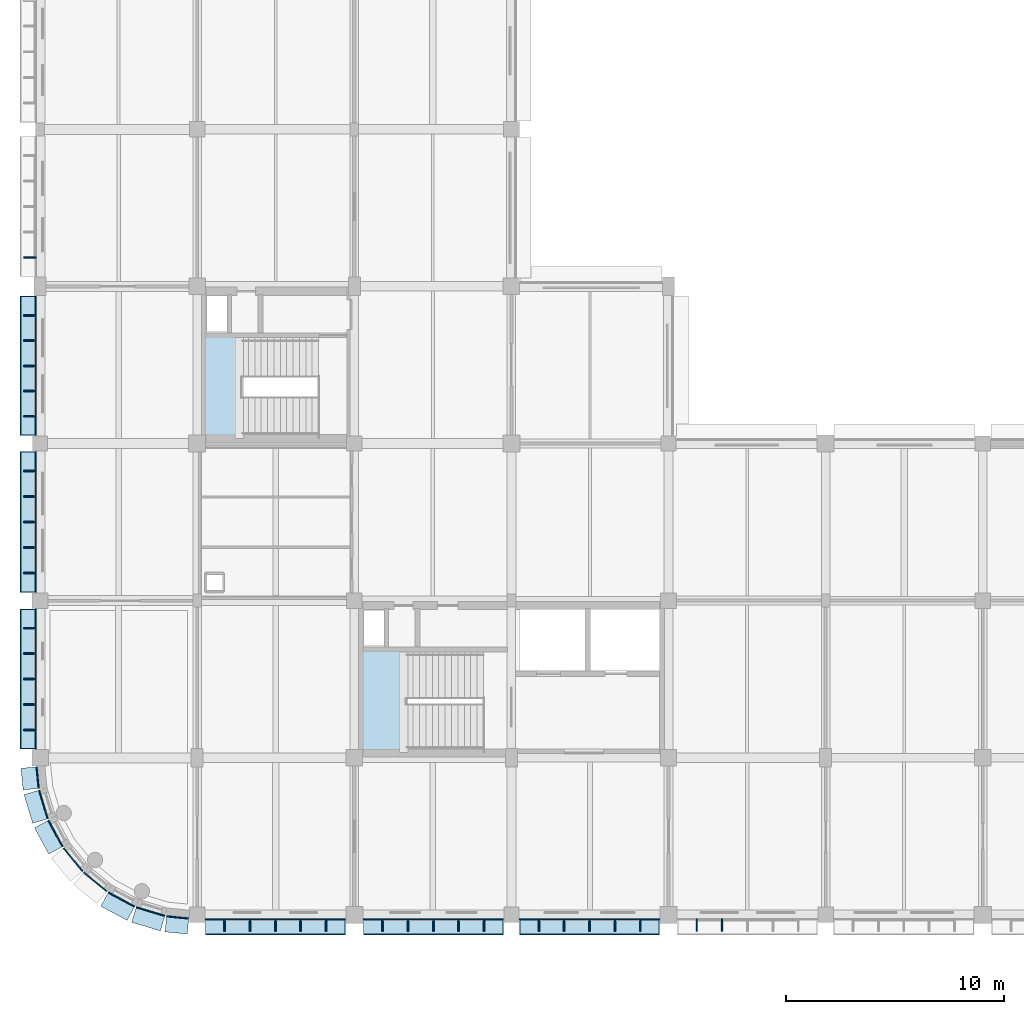
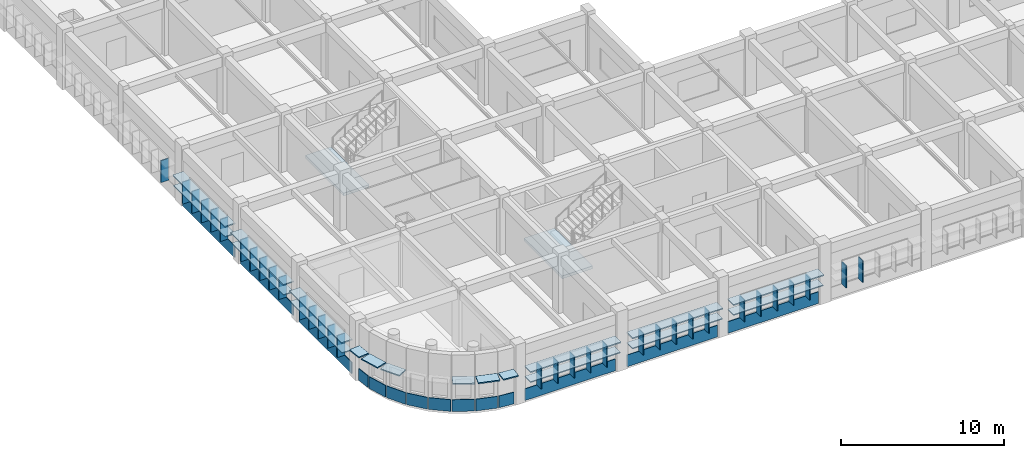
# One storey, part 15 of 61: 65 plates, 2 slabs, 2 elements without a shape of their own.
"""IFC4 building model written with IfcOpenShell, lengths in metres."""

from ifc_helpers import new_model, si_unit, direction, frame, origin, origin_2d, place, context, subcontext, project, spatial, polyline, rectangle, outline, extrude, material, layer, layer_set, type_object, element, aggregate, save


model = new_model("IFC4")

# Units and contexts
model_context = context("Model", 3, precision=1e-05, world=origin(), true_north=direction((0.0, 1.0)))
body_context = subcontext(model_context, "Body", "Model", "MODEL_VIEW")
ifc_project = project(units=[si_unit("LENGTHUNIT", "METRE"), si_unit("AREAUNIT", "SQUARE_METRE"), si_unit("VOLUMEUNIT", "CUBIC_METRE"), si_unit("PLANEANGLEUNIT", "RADIAN"), si_unit("MASSUNIT", "GRAM", prefix="KILO")], contexts=[model_context])

# Site, building, storey
site_placement = place(None, origin())
site = spatial("IfcSite", under=ifc_project, at=site_placement, CompositionType="ELEMENT")
building_placement = place(site_placement, origin())
building = spatial("IfcBuilding", under=site, at=building_placement, Name="Thalmaran Polytechnic", CompositionType="ELEMENT")
storey_placement = place(building_placement, frame((0.0, 0.0, 9.89990234375)))
storey = spatial("IfcBuildingStorey", under=building, at=storey_placement, Name="L02", CompositionType="ELEMENT", Elevation=9.89990234375)

# Plates
ifc_material_1 = material(Name="Anodised aluminium spandrel band", Category="aluminium")
ifc_layer_1 = layer(ifc_material_1, 0.054931640625, Name="Anodised aluminium spandrel band")
ifc_layer_set_1 = layer_set([ifc_layer_1], Name="Anodised aluminium spandrel band")
plate_type_1 = type_object("IfcPlateType", Name="PT-BD01", PredefinedType="SHEET", material=ifc_layer_set_1)
plate_1_placement = place(storey_placement, frame((-0.1064453125, 6.2919921875, 0.020263671875), z_axis=(0.0, 0.0, 1.0), x_axis=(-0.09801714033, 0.995184726672, 0.0)))
element("IfcPlate", 1, at=plate_1_placement, inside=storey, type_object=plate_type_1, Name="Streamline Horizontal Spandrel Band L02-001", PredefinedType="SHEET", context=body_context, shape_type="SweptSolid", body=[
    extrude(rectangle(XDim=0.996337890625, YDim=0.054931640625, at=origin_2d()), origin(), (0.0, 0.0, 1.0), 0.8798828125),
])
plate_2_placement = place(storey_placement, frame((-0.195068359375, 10.8076171875, 0.020263671875), z_axis=(0.0, 0.0, 1.0), x_axis=(0.0, 1.0, 0.0)))
element("IfcPlate", 2, at=plate_2_placement, inside=storey, type_object=plate_type_1, Name="Streamline Horizontal Spandrel Band L02-002", PredefinedType="SHEET", context=body_context, shape_type="SweptSolid", body=[
    extrude(rectangle(XDim=6.425048828125, YDim=0.054931640625, at=origin_2d()), origin(), (0.0, 0.0, 1.0), 0.8798828125),
])
plate_3_placement = place(storey_placement, frame((-0.195068359375, 18.0048828125, 0.020263671875), z_axis=(0.0, 0.0, 1.0), x_axis=(0.0, 1.0, 0.0)))
element("IfcPlate", 3, at=plate_3_placement, inside=storey, type_object=plate_type_1, Name="Streamline Horizontal Spandrel Band L02-003", PredefinedType="SHEET", context=body_context, shape_type="SweptSolid", body=[
    extrude(rectangle(XDim=6.449951171875, YDim=0.054931640625, at=origin_2d()), origin(), (0.0, 0.0, 1.0), 0.8798828125),
])
plate_4_placement = place(storey_placement, frame((-0.195068359375, 25.16259765625, 0.020263671875), z_axis=(0.0, 0.0, 1.0), x_axis=(0.0, 1.0, 0.0)))
element("IfcPlate", 4, at=plate_4_placement, inside=storey, type_object=plate_type_1, Name="Streamline Horizontal Spandrel Band L02-004", PredefinedType="SHEET", context=body_context, shape_type="SweptSolid", body=[
    extrude(rectangle(XDim=6.385009765625, YDim=0.054931640625, at=origin_2d()), origin(), (0.0, 0.0, 1.0), 0.8798828125),
])
for number, where, z_axis, x_axis, name in (
    (5, (25.179931640625, -0.195068359375, 0.020263671875), (0.0, 0.0, 1.0), (-1.0, 0.0, 0.0), "Streamline Horizontal Spandrel Band L02-089"),
    (6, (18.02001953125, -0.195068359375, 0.020263671875), (0.0, 0.0, 1.0), (-1.0, 0.0, 0.0), "Streamline Horizontal Spandrel Band L02-090"),
    (7, (10.780029296875, -0.195068359375, 0.020263671875), (0.0, 0.0, 1.0), (-1.0, 0.0, 0.0), "Streamline Horizontal Spandrel Band L02-091"),
):
    element("IfcPlate", number, at=place(storey_placement, frame(where, z_axis=z_axis, x_axis=x_axis)), inside=storey, type_object=plate_type_1, Name=name, PredefinedType="SHEET", context=body_context, shape_type="SweptSolid", body=[
        extrude(rectangle(XDim=6.419921875, YDim=0.054931640625, at=origin_2d()), origin(), (0.0, 0.0, 1.0), 0.8798828125),
    ])
plate_5_placement = place(storey_placement, frame((6.304443359375, -0.107666015625, 0.020263671875), z_axis=(0.0, 0.0, 1.0), x_axis=(-0.995184726672, 0.09801714033, 0.0)))
element("IfcPlate", 8, at=plate_5_placement, inside=storey, type_object=plate_type_1, Name="Streamline Horizontal Spandrel Band L02-092", PredefinedType="SHEET", context=body_context, shape_type="SweptSolid", body=[
    extrude(rectangle(XDim=1.021484375, YDim=0.054931640625, at=origin_2d()), origin(), (0.0, 0.0, 1.0), 0.8798828125),
])
for number, where, z_axis, x_axis, name in (
    (9, (5.0634765625, 0.156494140625, 0.020263671875), (0.0, 0.0, 1.0), (-0.956940335732, 0.290284677254, 0.0), "Streamline Horizontal Spandrel Band L02-093"),
    (10, (3.73046875, 0.708740234375, 0.020263671875), (0.0, 0.0, 1.0), (-0.881921264348, 0.471396736826, 0.0), "Streamline Horizontal Spandrel Band L02-094"),
    (11, (2.53076171875, 1.510498046875, 0.020263671875), (0.0, 0.0, 1.0), (-0.773010453363, 0.634393284164, 0.0), "Streamline Horizontal Spandrel Band L02-095"),
    (12, (1.510498046875, 2.53076171875, 0.020263671875), (0.0, 0.0, 1.0), (-0.634393284164, 0.773010453363, 0.0), "Streamline Horizontal Spandrel Band L02-096"),
    (13, (0.708740234375, 3.73046875, 0.020263671875), (0.0, 0.0, 1.0), (-0.471396736826, 0.881921264348, 0.0), "Streamline Horizontal Spandrel Band L02-097"),
    (14, (0.156494140625, 5.0634765625, 0.020263671875), (0.0, 0.0, 1.0), (-0.290284677254, 0.956940335732, 0.0), "Streamline Horizontal Spandrel Band L02-098"),
):
    element("IfcPlate", number, at=place(storey_placement, frame(where, z_axis=z_axis, x_axis=x_axis)), inside=storey, type_object=plate_type_1, Name=name, PredefinedType="SHEET", context=body_context, shape_type="SweptSolid", body=[
        extrude(rectangle(XDim=1.371337890625, YDim=0.054931640625, at=origin_2d()), origin(), (0.0, 0.0, 1.0), 0.8798828125),
    ])
ifc_material_2 = material(Name="Anodised aluminium sun-hood eyebrow", Category="aluminium")
ifc_layer_2 = layer(ifc_material_2, 0.0849609375, Name="Anodised aluminium sun-hood eyebrow")
ifc_layer_set_2 = layer_set([ifc_layer_2], Name="Anodised aluminium sun-hood eyebrow")
plate_type_2 = type_object("IfcPlateType", Name="PT-EB01", PredefinedType="SHEET", material=ifc_layer_set_2)
plate_6_placement = place(storey_placement, frame((-0.449951171875, 6.258056640625, 2.517578125), z_axis=(0.0, 0.0, 1.0), x_axis=(-0.09801714033, 0.995184726672, 0.0)))
element("IfcPlate", 15, at=plate_6_placement, inside=storey, type_object=plate_type_2, Name="Streamline Sun-Hood Eyebrow L02-001", PredefinedType="SHEET", context=body_context, shape_type="SweptSolid", body=[
    extrude(rectangle(XDim=0.996337890625, YDim=0.760009765625, at=origin_2d()), origin(), (0.0, 0.0, 1.0), 0.0849609375),
])
plate_7_placement = place(storey_placement, frame((-0.5400390625, 10.8076171875, 2.517578125), z_axis=(0.0, 0.0, 1.0), x_axis=(0.0, 1.0, 0.0)))
element("IfcPlate", 16, at=plate_7_placement, inside=storey, type_object=plate_type_2, Name="Streamline Sun-Hood Eyebrow L02-002", PredefinedType="SHEET", context=body_context, shape_type="SweptSolid", body=[
    extrude(rectangle(XDim=6.425048828125, YDim=0.760009765625, at=origin_2d()), origin(), (0.0, 0.0, 1.0), 0.0849609375),
])
plate_8_placement = place(storey_placement, frame((-0.52001953125, 10.8076171875, 1.74267578125), z_axis=(0.0, 0.0, 1.0), x_axis=(0.0, 1.0, 0.0)))
element("IfcPlate", 17, at=plate_8_placement, inside=storey, type_object=plate_type_2, Name="Abu Dhabi Horizontal Solar Louvre L02-002", PredefinedType="SHEET", context=body_context, shape_type="SweptSolid", body=[
    extrude(rectangle(XDim=6.385009765625, YDim=0.719970703125, at=origin_2d()), origin(), (0.0, 0.0, 1.0), 0.074951171875),
])
plate_9_placement = place(storey_placement, frame((-0.5400390625, 18.0048828125, 2.517578125), z_axis=(0.0, 0.0, 1.0), x_axis=(0.0, 1.0, 0.0)))
element("IfcPlate", 18, at=plate_9_placement, inside=storey, type_object=plate_type_2, Name="Streamline Sun-Hood Eyebrow L02-003", PredefinedType="SHEET", context=body_context, shape_type="SweptSolid", body=[
    extrude(rectangle(XDim=6.449951171875, YDim=0.760009765625, at=origin_2d()), origin(), (0.0, 0.0, 1.0), 0.0849609375),
])
plate_10_placement = place(storey_placement, frame((-0.52001953125, 18.0048828125, 1.74267578125), z_axis=(0.0, 0.0, 1.0), x_axis=(0.0, 1.0, 0.0)))
element("IfcPlate", 19, at=plate_10_placement, inside=storey, type_object=plate_type_2, Name="Abu Dhabi Horizontal Solar Louvre L02-003", PredefinedType="SHEET", context=body_context, shape_type="SweptSolid", body=[
    extrude(rectangle(XDim=6.409912109375, YDim=0.719970703125, at=origin_2d()), origin(), (0.0, 0.0, 1.0), 0.074951171875),
])
plate_11_placement = place(storey_placement, frame((-0.5400390625, 25.16259765625, 2.517578125), z_axis=(0.0, 0.0, 1.0), x_axis=(0.0, 1.0, 0.0)))
element("IfcPlate", 20, at=plate_11_placement, inside=storey, type_object=plate_type_2, Name="Streamline Sun-Hood Eyebrow L02-004", PredefinedType="SHEET", context=body_context, shape_type="SweptSolid", body=[
    extrude(rectangle(XDim=6.385009765625, YDim=0.760009765625, at=origin_2d()), origin(), (0.0, 0.0, 1.0), 0.0849609375),
])
plate_12_placement = place(storey_placement, frame((-0.52001953125, 25.16259765625, 1.74267578125), z_axis=(0.0, 0.0, 1.0), x_axis=(0.0, 1.0, 0.0)))
element("IfcPlate", 21, at=plate_12_placement, inside=storey, type_object=plate_type_2, Name="Abu Dhabi Horizontal Solar Louvre L02-004", PredefinedType="SHEET", context=body_context, shape_type="SweptSolid", body=[
    extrude(rectangle(XDim=6.344970703125, YDim=0.719970703125, at=origin_2d()), origin(), (0.0, 0.0, 1.0), 0.074951171875),
])
plate_13_placement = place(storey_placement, frame((25.179931640625, -0.5400390625, 2.517578125), z_axis=(0.0, 0.0, 1.0), x_axis=(-1.0, 0.0, 0.0)))
element("IfcPlate", 22, at=plate_13_placement, inside=storey, type_object=plate_type_2, Name="Streamline Sun-Hood Eyebrow L02-089", PredefinedType="SHEET", context=body_context, shape_type="SweptSolid", body=[
    extrude(rectangle(XDim=6.419921875, YDim=0.760009765625, at=origin_2d()), origin(), (0.0, 0.0, 1.0), 0.0849609375),
])
plate_14_placement = place(storey_placement, frame((25.179931640625, -0.52001953125, 1.74267578125), z_axis=(0.0, 0.0, 1.0), x_axis=(-1.0, 0.0, 0.0)))
element("IfcPlate", 23, at=plate_14_placement, inside=storey, type_object=plate_type_2, Name="Abu Dhabi Horizontal Solar Louvre L02-089", PredefinedType="SHEET", context=body_context, shape_type="SweptSolid", body=[
    extrude(rectangle(XDim=6.3798828125, YDim=0.719970703125, at=origin_2d()), origin(), (0.0, 0.0, 1.0), 0.074951171875),
])
plate_15_placement = place(storey_placement, frame((18.02001953125, -0.5400390625, 2.517578125), z_axis=(0.0, 0.0, 1.0), x_axis=(-1.0, 0.0, 0.0)))
element("IfcPlate", 24, at=plate_15_placement, inside=storey, type_object=plate_type_2, Name="Streamline Sun-Hood Eyebrow L02-090", PredefinedType="SHEET", context=body_context, shape_type="SweptSolid", body=[
    extrude(rectangle(XDim=6.419921875, YDim=0.760009765625, at=origin_2d()), origin(), (0.0, 0.0, 1.0), 0.0849609375),
])
plate_16_placement = place(storey_placement, frame((18.02001953125, -0.52001953125, 1.74267578125), z_axis=(0.0, 0.0, 1.0), x_axis=(-1.0, 0.0, 0.0)))
element("IfcPlate", 25, at=plate_16_placement, inside=storey, type_object=plate_type_2, Name="Abu Dhabi Horizontal Solar Louvre L02-090", PredefinedType="SHEET", context=body_context, shape_type="SweptSolid", body=[
    extrude(rectangle(XDim=6.3798828125, YDim=0.719970703125, at=origin_2d()), origin(), (0.0, 0.0, 1.0), 0.074951171875),
])
plate_17_placement = place(storey_placement, frame((10.780029296875, -0.5400390625, 2.517578125), z_axis=(0.0, 0.0, 1.0), x_axis=(-1.0, 0.0, 0.0)))
element("IfcPlate", 26, at=plate_17_placement, inside=storey, type_object=plate_type_2, Name="Streamline Sun-Hood Eyebrow L02-091", PredefinedType="SHEET", context=body_context, shape_type="SweptSolid", body=[
    extrude(rectangle(XDim=6.419921875, YDim=0.760009765625, at=origin_2d()), origin(), (0.0, 0.0, 1.0), 0.0849609375),
])
plate_18_placement = place(storey_placement, frame((10.780029296875, -0.52001953125, 1.74267578125), z_axis=(0.0, 0.0, 1.0), x_axis=(-1.0, 0.0, 0.0)))
element("IfcPlate", 27, at=plate_18_placement, inside=storey, type_object=plate_type_2, Name="Abu Dhabi Horizontal Solar Louvre L02-091", PredefinedType="SHEET", context=body_context, shape_type="SweptSolid", body=[
    extrude(rectangle(XDim=6.3798828125, YDim=0.719970703125, at=origin_2d()), origin(), (0.0, 0.0, 1.0), 0.074951171875),
])
plate_19_placement = place(storey_placement, frame((6.2705078125, -0.451171875, 2.517578125), z_axis=(0.0, 0.0, 1.0), x_axis=(-0.995184726672, 0.09801714033, 0.0)))
element("IfcPlate", 28, at=plate_19_placement, inside=storey, type_object=plate_type_2, Name="Streamline Sun-Hood Eyebrow L02-092", PredefinedType="SHEET", context=body_context, shape_type="SweptSolid", body=[
    extrude(rectangle(XDim=1.021484375, YDim=0.760009765625, at=origin_2d()), origin(), (0.0, 0.0, 1.0), 0.0849609375),
])
for number, where, z_axis, x_axis, name in (
    (29, (4.96337890625, -0.173583984375, 2.517578125), (0.0, 0.0, 1.0), (-0.956940335732, 0.290284677254, 0.0), "Streamline Sun-Hood Eyebrow L02-093"),
    (30, (3.567626953125, 0.404541015625, 2.517578125), (0.0, 0.0, 1.0), (-0.881921264348, 0.471396736826, 0.0), "Streamline Sun-Hood Eyebrow L02-094"),
    (31, (0.404541015625, 3.567626953125, 2.517578125), (0.0, 0.0, 1.0), (-0.471396736826, 0.881921264348, 0.0), "Streamline Sun-Hood Eyebrow L02-097"),
    (32, (-0.173583984375, 4.96337890625, 2.517578125), (0.0, 0.0, 1.0), (-0.290284677254, 0.956940335732, 0.0), "Streamline Sun-Hood Eyebrow L02-098"),
):
    element("IfcPlate", number, at=place(storey_placement, frame(where, z_axis=z_axis, x_axis=x_axis)), inside=storey, type_object=plate_type_2, Name=name, PredefinedType="SHEET", context=body_context, shape_type="SweptSolid", body=[
        extrude(rectangle(XDim=1.371337890625, YDim=0.760009765625, at=origin_2d()), origin(), (0.0, 0.0, 1.0), 0.0849609375),
    ])
ifc_material_3 = material(Name="Anodised bronze brise-soleil fin")
ifc_layer_3 = layer(ifc_material_3, 0.06494140625, Name="Anodised bronze brise-soleil fin")
ifc_layer_set_3 = layer_set([ifc_layer_3], Name="Anodised bronze brise-soleil fin")
plate_type_3 = type_object("IfcPlateType", Name="PT-FN01", PredefinedType="SHEET", material=ifc_layer_set_3)
for number, where, z_axis, x_axis, name in (
    (33, (-0.4599609375, 8.47998046875, 0.895263671875), (0.0, 0.0, 1.0), (0.0, 1.0, 0.0), "Abu Dhabi Solar Brise-Soleil Fin L02-002-1"),
    (34, (-0.4599609375, 9.643798828125, 0.895263671875), (0.0, 0.0, 1.0), (0.0, 1.0, 0.0), "Abu Dhabi Solar Brise-Soleil Fin L02-002-2"),
    (35, (-0.4599609375, 10.8076171875, 0.895263671875), (0.0, 0.0, 1.0), (0.0, 1.0, 0.0), "Abu Dhabi Solar Brise-Soleil Fin L02-002-3"),
    (36, (-0.4599609375, 11.97119140625, 0.895263671875), (0.0, 0.0, 1.0), (0.0, 1.0, 0.0), "Abu Dhabi Solar Brise-Soleil Fin L02-002-4"),
    (37, (-0.4599609375, 13.135009765625, 0.895263671875), (0.0, 0.0, 1.0), (0.0, 1.0, 0.0), "Abu Dhabi Solar Brise-Soleil Fin L02-002-5"),
    (38, (-0.4599609375, 15.668701171875, 0.895263671875), (0.0, 0.0, 1.0), (0.0, 1.0, 0.0), "Abu Dhabi Solar Brise-Soleil Fin L02-003-1"),
    (39, (-0.4599609375, 16.8369140625, 0.895263671875), (0.0, 0.0, 1.0), (0.0, 1.0, 0.0), "Abu Dhabi Solar Brise-Soleil Fin L02-003-2"),
    (40, (-0.4599609375, 18.0048828125, 0.895263671875), (0.0, 0.0, 1.0), (0.0, 1.0, 0.0), "Abu Dhabi Solar Brise-Soleil Fin L02-003-3"),
    (41, (-0.4599609375, 19.173095703125, 0.895263671875), (0.0, 0.0, 1.0), (0.0, 1.0, 0.0), "Abu Dhabi Solar Brise-Soleil Fin L02-003-4"),
    (42, (-0.4599609375, 20.34130859375, 0.895263671875), (0.0, 0.0, 1.0), (0.0, 1.0, 0.0), "Abu Dhabi Solar Brise-Soleil Fin L02-003-5"),
    (43, (-0.4599609375, 22.849609375, 0.895263671875), (0.0, 0.0, 1.0), (0.0, 1.0, 0.0), "Abu Dhabi Solar Brise-Soleil Fin L02-004-1"),
    (44, (-0.4599609375, 24.006103515625, 0.895263671875), (0.0, 0.0, 1.0), (0.0, 1.0, 0.0), "Abu Dhabi Solar Brise-Soleil Fin L02-004-2"),
    (45, (-0.4599609375, 25.16259765625, 0.895263671875), (0.0, 0.0, 1.0), (0.0, 1.0, 0.0), "Abu Dhabi Solar Brise-Soleil Fin L02-004-3"),
    (46, (-0.4599609375, 26.319091796875, 0.895263671875), (0.0, 0.0, 1.0), (0.0, 1.0, 0.0), "Abu Dhabi Solar Brise-Soleil Fin L02-004-4"),
    (47, (-0.4599609375, 27.4755859375, 0.895263671875), (0.0, 0.0, 1.0), (0.0, 1.0, 0.0), "Abu Dhabi Solar Brise-Soleil Fin L02-004-5"),
    (48, (-0.4599609375, 30.131591796875, 0.895263671875), (0.0, 0.0, 1.0), (0.0, 1.0, 0.0), "Abu Dhabi Solar Brise-Soleil Fin L02-005-1"),
    (49, (31.257080078125, -0.4599609375, 0.895263671875), (0.0, 0.0, 1.0), (-1.0, 0.0, 0.0), "Abu Dhabi Solar Brise-Soleil Fin L02-088-4"),
    (50, (30.094482421875, -0.4599609375, 0.895263671875), (0.0, 0.0, 1.0), (-1.0, 0.0, 0.0), "Abu Dhabi Solar Brise-Soleil Fin L02-088-5"),
    (51, (27.505615234375, -0.4599609375, 0.895263671875), (0.0, 0.0, 1.0), (-1.0, 0.0, 0.0), "Abu Dhabi Solar Brise-Soleil Fin L02-089-1"),
    (52, (26.3427734375, -0.4599609375, 0.895263671875), (0.0, 0.0, 1.0), (-1.0, 0.0, 0.0), "Abu Dhabi Solar Brise-Soleil Fin L02-089-2"),
    (53, (25.179931640625, -0.4599609375, 0.895263671875), (0.0, 0.0, 1.0), (-1.0, 0.0, 0.0), "Abu Dhabi Solar Brise-Soleil Fin L02-089-3"),
    (54, (24.01708984375, -0.4599609375, 0.895263671875), (0.0, 0.0, 1.0), (-1.0, 0.0, 0.0), "Abu Dhabi Solar Brise-Soleil Fin L02-089-4"),
    (55, (22.8544921875, -0.4599609375, 0.895263671875), (0.0, 0.0, 1.0), (-1.0, 0.0, 0.0), "Abu Dhabi Solar Brise-Soleil Fin L02-089-5"),
    (56, (20.345703125, -0.4599609375, 0.895263671875), (0.0, 0.0, 1.0), (-1.0, 0.0, 0.0), "Abu Dhabi Solar Brise-Soleil Fin L02-090-1"),
    (57, (19.182861328125, -0.4599609375, 0.895263671875), (0.0, 0.0, 1.0), (-1.0, 0.0, 0.0), "Abu Dhabi Solar Brise-Soleil Fin L02-090-2"),
    (58, (18.02001953125, -0.4599609375, 0.895263671875), (0.0, 0.0, 1.0), (-1.0, 0.0, 0.0), "Abu Dhabi Solar Brise-Soleil Fin L02-090-3"),
    (59, (16.857177734375, -0.4599609375, 0.895263671875), (0.0, 0.0, 1.0), (-1.0, 0.0, 0.0), "Abu Dhabi Solar Brise-Soleil Fin L02-090-4"),
    (60, (15.6943359375, -0.4599609375, 0.895263671875), (0.0, 0.0, 1.0), (-1.0, 0.0, 0.0), "Abu Dhabi Solar Brise-Soleil Fin L02-090-5"),
    (61, (13.105712890625, -0.4599609375, 0.895263671875), (0.0, 0.0, 1.0), (-1.0, 0.0, 0.0), "Abu Dhabi Solar Brise-Soleil Fin L02-091-1"),
    (62, (11.94287109375, -0.4599609375, 0.895263671875), (0.0, 0.0, 1.0), (-1.0, 0.0, 0.0), "Abu Dhabi Solar Brise-Soleil Fin L02-091-2"),
    (63, (10.780029296875, -0.4599609375, 0.895263671875), (0.0, 0.0, 1.0), (-1.0, 0.0, 0.0), "Abu Dhabi Solar Brise-Soleil Fin L02-091-3"),
    (64, (9.6171875, -0.4599609375, 0.895263671875), (0.0, 0.0, 1.0), (-1.0, 0.0, 0.0), "Abu Dhabi Solar Brise-Soleil Fin L02-091-4"),
    (65, (8.454345703125, -0.4599609375, 0.895263671875), (0.0, 0.0, 1.0), (-1.0, 0.0, 0.0), "Abu Dhabi Solar Brise-Soleil Fin L02-091-5"),
):
    element("IfcPlate", number, at=place(storey_placement, frame(where, z_axis=z_axis, x_axis=x_axis)), inside=storey, type_object=plate_type_3, Name=name, PredefinedType="SHEET", context=body_context, shape_type="SweptSolid", body=[
        extrude(rectangle(XDim=0.06494140625, YDim=0.56005859375, at=origin_2d()), origin(), (0.0, 0.0, 1.0), 1.64990234375),
    ])

# Stair, slab
ifc_material_4 = material(Name="Concrete C40/50", Category="concrete")
stair_type = type_object("IfcStairType", Name="ST-HT45", PredefinedType="HALF_TURN_STAIR", material=ifc_material_4)
stair_1_placement = place(storey_placement, origin())
stair_1 = element("IfcStair", 66, at=stair_1_placement, inside=storey, type_object=stair_type, Name="Exit Stair ST1 L02", PredefinedType="HALF_TURN_STAIR")
ifc_layer_4 = layer(ifc_material_4, 0.2099609375, Name="Concrete C40/50")
ifc_layer_set_4 = layer_set([ifc_layer_4], Name="Concrete C40/50")
slab_type = type_object("IfcSlabType", Name="SL-LD01", PredefinedType="LANDING", material=ifc_layer_set_4)
slab_1_placement = place(storey_placement, frame((0.0, 0.0, 2.0400390625)))
slab_1 = element("IfcSlab", 67, at=slab_1_placement, type_object=slab_type, Name="ST1 L02 Half Landing", PredefinedType="LANDING", context=body_context, shape_type="SweptSolid", body=[
    extrude(outline(polyline([(14.639892578125, 7.43994140625), (16.800048828125, 7.43994140625), (16.800048828125, 12.139892578125), (14.639892578125, 12.139892578125), (14.639892578125, 7.43994140625)])), origin(), (0.0, 0.0, 1.0), 0.2099609375),
])
aggregate(stair_1, [slab_1])

stair_2_placement = place(storey_placement, origin())
stair_2 = element("IfcStair", 68, at=stair_2_placement, inside=storey, type_object=stair_type, Name="Exit Stair ST3 L02", PredefinedType="HALF_TURN_STAIR")
slab_2_placement = place(storey_placement, frame((0.0, 0.0, 2.0400390625)))
slab_2 = element("IfcSlab", 69, at=slab_2_placement, type_object=slab_type, Name="ST3 L02 Half Landing", PredefinedType="LANDING", context=body_context, shape_type="SweptSolid", body=[
    extrude(outline(polyline([(7.43994140625, 21.840087890625), (9.260009765625, 21.840087890625), (9.260009765625, 26.5400390625), (7.43994140625, 26.5400390625), (7.43994140625, 21.840087890625)])), origin(), (0.0, 0.0, 1.0), 0.2099609375),
])
aggregate(stair_2, [slab_2])

save(model, "model.ifc")
